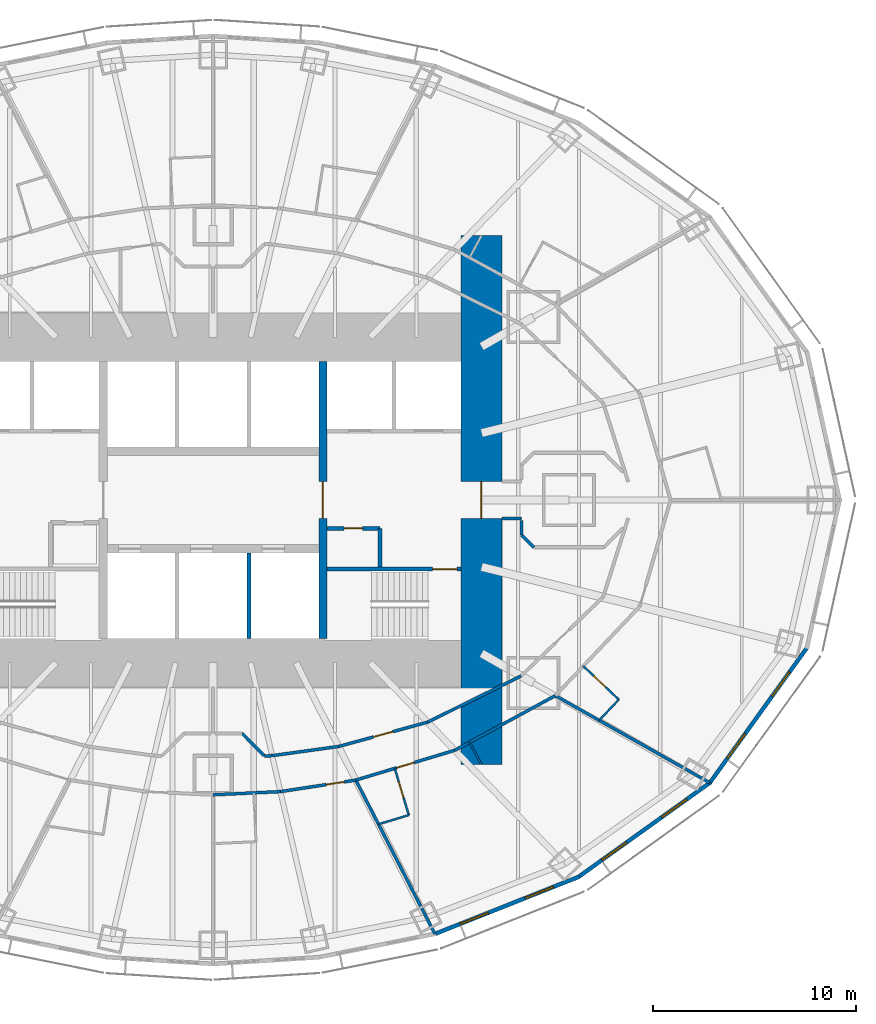
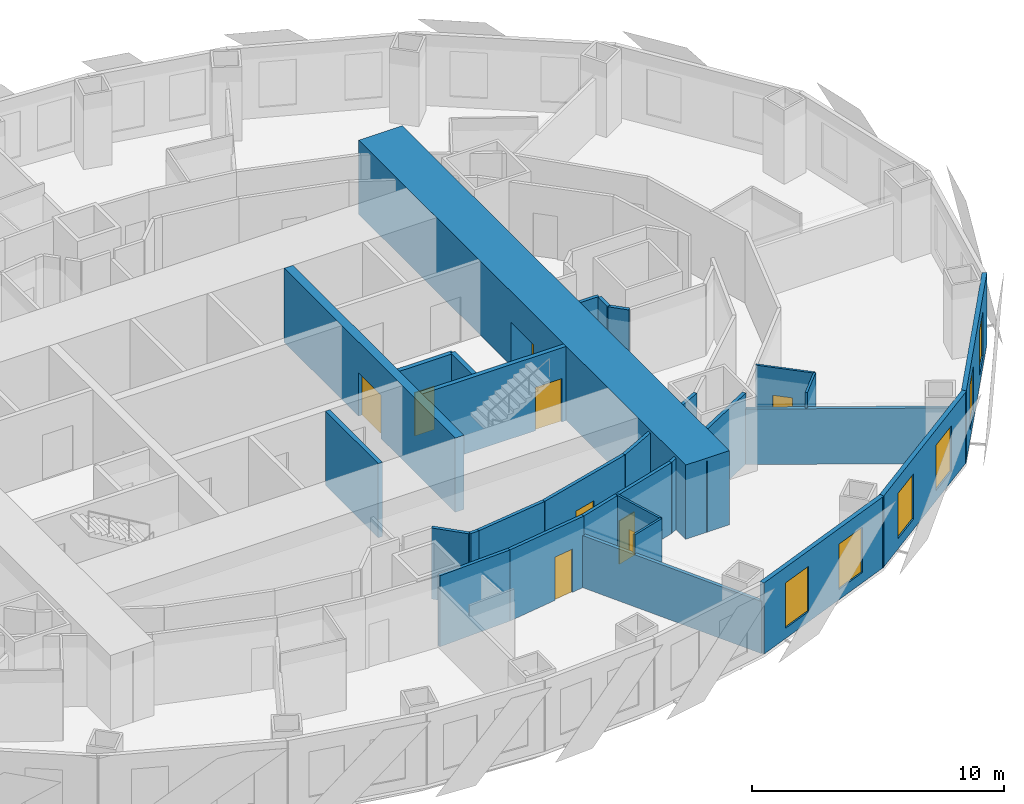
# One storey, part 7 of 15: 28 walls, 9 doors, 6 windows, 15 openings.
"""IFC4 building model written with IfcOpenShell, lengths in metres."""

from ifc_helpers import new_model, si_unit, direction, frame, frame_2d, origin, place, context, subcontext, project, spatial, rectangle, extrude, material, layer, layer_set, type_object, element, fill, save


model = new_model("IFC4")

# Units and contexts
model_context = context("Model", 3, precision=1e-05, world=origin(), true_north=direction((0.0, 1.0)))
body_context = subcontext(model_context, "Body", "Model", "MODEL_VIEW")
ifc_project = project(units=[si_unit("LENGTHUNIT", "METRE"), si_unit("AREAUNIT", "SQUARE_METRE"), si_unit("VOLUMEUNIT", "CUBIC_METRE"), si_unit("PLANEANGLEUNIT", "RADIAN"), si_unit("MASSUNIT", "GRAM", prefix="KILO")], contexts=[model_context])

# Site, building, storey
site_placement = place(None, origin())
site = spatial("IfcSite", under=ifc_project, at=site_placement, CompositionType="ELEMENT")
building_placement = place(site_placement, origin())
building = spatial("IfcBuilding", under=site, at=building_placement, Name="Lantaw Convention Tower", CompositionType="ELEMENT")
storey_placement = place(building_placement, frame((0.0, 0.0, 83.800048828125)))
storey = spatial("IfcBuildingStorey", under=building, at=storey_placement, Name="L19", CompositionType="ELEMENT", Elevation=83.800048828125)

# Wall, opening, door
ifc_material_1 = material(Name="Moisture resistant gypsum board on steel studs", Category="steel")
ifc_layer_1 = layer(ifc_material_1, 0.10009765625)
ifc_layer_set_1 = layer_set([ifc_layer_1], Name="Bathroom wall 100")
wall_type_1 = type_object("IfcWallType", Name="Bathroom wall 100", PredefinedType="PARTITIONING", material=ifc_layer_set_1)
wall_1_placement = place(storey_placement, frame((8.9345703125, -13.199951171875, 0.0), z_axis=(0.0, 0.0, 1.0), x_axis=(0.288197066254, -0.957571120598, 0.0)))
wall_1 = element("IfcWall", 1, at=wall_1_placement, inside=storey, type_object=wall_type_1, Name="Bathroom wall 100", PredefinedType="PARTITIONING", context=body_context, shape_type="SweptSolid", body=[
    extrude(rectangle(XDim=2.39990234375, YDim=0.10009765625, at=frame_2d((1.199951171875, 0.0))), origin(), (0.0, 0.0, 1.0), 3.449951171875),
])
opening_1_placement = place(wall_1_placement, frame((0.699951171875, 0.0, 0.0)))
opening_1 = element("IfcOpeningElement", 2, at=opening_1_placement, cuts=wall_1, Name="Opening L19.45", PredefinedType="OPENING", context=body_context, shape_type="SweptSolid", body=[
    extrude(rectangle(XDim=0.800048828125, YDim=2.10009765625, at=frame_2d((0.39990234375, 1.050048828125))), frame((0.0, 0.06005859375, 0.0), z_axis=(0.0, -1.0, 0.0), x_axis=(1.0, 0.0, 0.0)), (0.0, 0.0, 1.0), 0.1201171875),
])
ifc_material_2 = material(Name="Timber", Category="wood")
door_type_1 = type_object("IfcDoorType", Name="Bathroom door 800", OperationType="SINGLE_SWING_LEFT", PredefinedType="DOOR", material=ifc_material_2)
door_1_placement = place(opening_1_placement, origin())
door_1 = element("IfcDoor", 3, at=door_1_placement, inside=storey, type_object=door_type_1, Name="Bathroom door", OperationType="SINGLE_SWING_LEFT", OverallHeight=2.10009765625, OverallWidth=0.800048828125, PredefinedType="DOOR", context=body_context, shape_type="SweptSolid", body=[
    extrude(rectangle(XDim=0.800048828125, YDim=2.10009765625, at=frame_2d((0.39990234375, 1.050048828125))), frame((0.0, 0.02490234375, 0.0), z_axis=(0.0, -1.0, 0.0), x_axis=(1.0, 0.0, 0.0)), (0.0, 0.0, 1.0), 0.050048828125),
])
fill(opening_1, door_1)

# Wall
wall_2_placement = place(storey_placement, frame((9.626220703125, -15.498046875, 0.0), z_axis=(0.0, 0.0, 1.0), x_axis=(-0.957551231109, -0.288263143328, 0.0)))
element("IfcWall", 4, at=wall_2_placement, inside=storey, type_object=wall_type_1, Name="Bathroom wall 100", PredefinedType="PARTITIONING", context=body_context, shape_type="SweptSolid", body=[
    extrude(rectangle(XDim=1.56591796875, YDim=0.10009765625, at=frame_2d((0.782958984375, 0.0))), origin(), (0.0, 0.0, 1.0), 3.449951171875),
])

# Wall, opening, door
wall_3_placement = place(storey_placement, frame((18.209228515625, -8.166748046875, 0.0), z_axis=(0.0, 0.0, 1.0), x_axis=(0.726567238928, -0.687095369885, 0.0)))
wall_3 = element("IfcWall", 5, at=wall_3_placement, inside=storey, type_object=wall_type_1, Name="Bathroom wall 100", PredefinedType="PARTITIONING", context=body_context, shape_type="SweptSolid", body=[
    extrude(rectangle(XDim=2.39990234375, YDim=0.10009765625, at=frame_2d((1.199951171875, 0.0))), origin(), (0.0, 0.0, 1.0), 3.449951171875),
])
opening_2_placement = place(wall_3_placement, frame((0.699951171875, 0.0, 0.0)))
opening_2 = element("IfcOpeningElement", 6, at=opening_2_placement, cuts=wall_3, Name="Opening L19.47", PredefinedType="OPENING", context=body_context, shape_type="SweptSolid", body=[
    extrude(rectangle(XDim=0.800048828125, YDim=2.10009765625, at=frame_2d((0.39990234375, 1.050048828125))), frame((0.0, 0.06005859375, 0.0), z_axis=(0.0, -1.0, 0.0), x_axis=(1.0, 0.0, 0.0)), (0.0, 0.0, 1.0), 0.1201171875),
])
door_2_placement = place(opening_2_placement, origin())
door_2 = element("IfcDoor", 7, at=door_2_placement, inside=storey, type_object=door_type_1, Name="Bathroom door", OperationType="SINGLE_SWING_LEFT", OverallHeight=2.10009765625, OverallWidth=0.800048828125, PredefinedType="DOOR", context=body_context, shape_type="SweptSolid", body=[
    extrude(rectangle(XDim=0.800048828125, YDim=2.10009765625, at=frame_2d((0.39990234375, 1.050048828125))), frame((0.0, 0.02490234375, 0.0), z_axis=(0.0, -1.0, 0.0), x_axis=(1.0, 0.0, 0.0)), (0.0, 0.0, 1.0), 0.050048828125),
])
fill(opening_2, door_2)

# Wall
wall_4_placement = place(storey_placement, frame((19.952880859375, -9.815673828125, 0.0), z_axis=(0.0, 0.0, 1.0), x_axis=(-0.687017997787, -0.726640399866, 0.0)))
element("IfcWall", 8, at=wall_4_placement, inside=storey, type_object=wall_type_1, Name="Bathroom wall 100", PredefinedType="PARTITIONING", context=body_context, shape_type="SweptSolid", body=[
    extrude(rectangle(XDim=1.417236328125, YDim=0.10009765625, at=frame_2d((0.70849609375, 0.0))), origin(), (0.0, 0.0, 1.0), 3.449951171875),
])

# Wall, opening, door
ifc_material_3 = material(Name="Concrete C60/75", Category="concrete")
ifc_layer_2 = layer(ifc_material_3, 0.199951171875)
ifc_layer_set_2 = layer_set([ifc_layer_2], Name="Core wall 200")
wall_type_2 = type_object("IfcWallType", Name="Core wall 200", PredefinedType="SHEAR", material=ifc_layer_set_2)
wall_5_placement = place(storey_placement, frame((5.60009765625, -3.39990234375, 0.0), z_axis=(0.0, 0.0, 1.0), x_axis=(1.0, 0.0, 0.0)))
wall_5 = element("IfcWall", 9, at=wall_5_placement, inside=storey, type_object=wall_type_2, Name="Core wall ES", PredefinedType="SHEAR", context=body_context, shape_type="SweptSolid", body=[
    extrude(rectangle(XDim=6.599853515625, YDim=0.199951171875, at=frame_2d((3.2998046875, 0.0))), origin(), (0.0, 0.0, 1.0), 3.599853515625),
])
opening_3_placement = place(wall_5_placement, frame((5.199951171875, 0.0, 0.0)))
opening_3 = element("IfcOpeningElement", 10, at=opening_3_placement, cuts=wall_5, Name="Opening L19.05", PredefinedType="OPENING", context=body_context, shape_type="SweptSolid", body=[
    extrude(rectangle(XDim=1.199951171875, YDim=2.10009765625, at=frame_2d((0.60009765625, 1.050048828125))), frame((0.0, 0.10986328125, 0.0), z_axis=(0.0, -1.0, 0.0), x_axis=(1.0, 0.0, 0.0)), (0.0, 0.0, 1.0), 0.219970703125),
])
ifc_material_4 = material(Name="Steel, fire rated", Category="steel")
door_type_2 = type_object("IfcDoorType", Name="Stair door FD90", OperationType="SINGLE_SWING_RIGHT", PredefinedType="DOOR", material=ifc_material_4)
door_3_placement = place(opening_3_placement, origin())
door_3 = element("IfcDoor", 11, at=door_3_placement, inside=storey, type_object=door_type_2, Name="Exit stair door", OperationType="SINGLE_SWING_RIGHT", OverallHeight=2.10009765625, OverallWidth=1.199951171875, PredefinedType="DOOR", context=body_context, shape_type="SweptSolid", body=[
    extrude(rectangle(XDim=1.199951171875, YDim=2.10009765625, at=frame_2d((0.60009765625, 1.050048828125))), frame((0.0, 0.02490234375, 0.0), z_axis=(0.0, -1.0, 0.0), x_axis=(1.0, 0.0, 0.0)), (0.0, 0.0, 1.0), 0.050048828125),
])
fill(opening_3, door_3)

ifc_layer_3 = layer(ifc_material_3, 2.0)
ifc_layer_set_3 = layer_set([ifc_layer_3], Name="Core wall 2000")
wall_type_3 = type_object("IfcWallType", Name="Core wall 2000", PredefinedType="SHEAR", material=ifc_layer_set_3)
wall_6_placement = place(storey_placement, frame((13.199951171875, -13.0, 0.0), z_axis=(0.0, 0.0, 1.0), x_axis=(0.0, 1.0, 0.0)))
wall_6 = element("IfcWall", 12, at=wall_6_placement, inside=storey, type_object=wall_type_3, Name="Core wall E", PredefinedType="SHEAR", context=body_context, shape_type="SweptSolid", body=[
    extrude(rectangle(XDim=26.0, YDim=2.0, at=frame_2d((13.0, 0.0))), origin(), (0.0, 0.0, 1.0), 3.599853515625),
])
opening_4_placement = place(wall_6_placement, frame((12.10009765625, 0.0, 0.0)))
opening_4 = element("IfcOpeningElement", 13, at=opening_4_placement, cuts=wall_6, Name="Opening L19.07", PredefinedType="OPENING", context=body_context, shape_type="SweptSolid", body=[
    extrude(rectangle(XDim=1.800048828125, YDim=2.10009765625, at=frame_2d((0.89990234375, 1.050048828125))), frame((0.0, 1.010009765625, 0.0), z_axis=(0.0, -1.0, 0.0), x_axis=(1.0, 0.0, 0.0)), (0.0, 0.0, 1.0), 2.02001953125),
])
door_type_3 = type_object("IfcDoorType", Name="Lobby double door FD90", OperationType="DOUBLE_DOOR_DOUBLE_SWING", PredefinedType="DOOR", material=ifc_material_4)
door_4_placement = place(opening_4_placement, origin())
door_4 = element("IfcDoor", 14, at=door_4_placement, inside=storey, type_object=door_type_3, Name="Firefighting lobby door", OperationType="DOUBLE_DOOR_DOUBLE_SWING", OverallHeight=2.10009765625, OverallWidth=1.800048828125, PredefinedType="DOOR", context=body_context, shape_type="SweptSolid", body=[
    extrude(rectangle(XDim=1.800048828125, YDim=2.10009765625, at=frame_2d((0.89990234375, 1.050048828125))), frame((0.0, 0.02490234375, 0.0), z_axis=(0.0, -1.0, 0.0), x_axis=(1.0, 0.0, 0.0)), (0.0, 0.0, 1.0), 0.050048828125),
])
fill(opening_4, door_4)

ifc_layer_4 = layer(ifc_material_3, 0.39990234375)
ifc_layer_set_4 = layer_set([ifc_layer_4], Name="Core wall 400")
wall_type_4 = type_object("IfcWallType", Name="Core wall 400", PredefinedType="SHEAR", material=ifc_layer_set_4)
wall_7_placement = place(storey_placement, frame((5.39990234375, -6.800048828125, 0.0), z_axis=(0.0, 0.0, 1.0), x_axis=(0.0, 1.0, 0.0)))
wall_7 = element("IfcWall", 15, at=wall_7_placement, inside=storey, type_object=wall_type_4, Name="Core wall XE", PredefinedType="SHEAR", context=body_context, shape_type="SweptSolid", body=[
    extrude(rectangle(XDim=13.60009765625, YDim=0.39990234375, at=frame_2d((6.800048828125, 0.0))), origin(), (0.0, 0.0, 1.0), 3.599853515625),
])
opening_5_placement = place(wall_7_placement, frame((5.89990234375, 0.0, 0.0)))
opening_5 = element("IfcOpeningElement", 16, at=opening_5_placement, cuts=wall_7, Name="Opening L19.03", PredefinedType="OPENING", context=body_context, shape_type="SweptSolid", body=[
    extrude(rectangle(XDim=1.800048828125, YDim=2.10009765625, at=frame_2d((0.89990234375, 1.050048828125))), frame((0.0, 0.2099609375, 0.0), z_axis=(0.0, -1.0, 0.0), x_axis=(1.0, 0.0, 0.0)), (0.0, 0.0, 1.0), 0.419921875),
])
door_5_placement = place(opening_5_placement, origin())
door_5 = element("IfcDoor", 17, at=door_5_placement, inside=storey, type_object=door_type_3, Name="Lift lobby door", OperationType="DOUBLE_DOOR_DOUBLE_SWING", OverallHeight=2.10009765625, OverallWidth=1.800048828125, PredefinedType="DOOR", context=body_context, shape_type="SweptSolid", body=[
    extrude(rectangle(XDim=1.800048828125, YDim=2.10009765625, at=frame_2d((0.89990234375, 1.050048828125))), frame((0.0, 0.02490234375, 0.0), z_axis=(0.0, -1.0, 0.0), x_axis=(1.0, 0.0, 0.0)), (0.0, 0.0, 1.0), 0.050048828125),
])
fill(opening_5, door_5)

# Wall
ifc_material_5 = material(Name="Gypsum board on steel studs, fire rated", Category="steel")
ifc_layer_5 = layer(ifc_material_5, 0.14990234375)
ifc_layer_set_5 = layer_set([ifc_layer_5], Name="Corridor wall 150 EI 60")
wall_type_5 = type_object("IfcWallType", Name="Corridor wall 150 EI 60", PredefinedType="PARTITIONING", material=ifc_layer_set_5)
wall_8_placement = place(storey_placement, frame((0.0, -14.5, 0.0), z_axis=(0.0, 0.0, 1.0), x_axis=(0.998863968075, 0.047652631422, 0.0)))
element("IfcWall", 18, at=wall_8_placement, inside=storey, type_object=wall_type_5, Name="Corridor wall 150", PredefinedType="PARTITIONING", context=body_context, shape_type="SweptSolid", body=[
    extrude(rectangle(XDim=3.314697265625, YDim=0.14990234375, at=frame_2d((1.6572265625, 0.0))), origin(), (0.0, 0.0, 1.0), 3.449951171875),
])

# Wall, opening, door
wall_9_placement = place(storey_placement, frame((3.31103515625, -14.342041015625, 0.0), z_axis=(0.0, 0.0, 1.0), x_axis=(0.988564270062, 0.150800145746, 0.0)))
wall_9 = element("IfcWall", 19, at=wall_9_placement, inside=storey, type_object=wall_type_5, Name="Corridor wall 150", PredefinedType="PARTITIONING", context=body_context, shape_type="SweptSolid", body=[
    extrude(rectangle(XDim=3.751220703125, YDim=0.14990234375, at=frame_2d((1.87548828125, 0.0))), origin(), (0.0, 0.0, 1.0), 3.449951171875),
])
opening_6_placement = place(wall_9_placement, frame((2.27587890625, 0.0, 0.0)))
opening_6 = element("IfcOpeningElement", 20, at=opening_6_placement, cuts=wall_9, Name="Opening L19.44", PredefinedType="OPENING", context=body_context, shape_type="SweptSolid", body=[
    extrude(rectangle(XDim=0.89990234375, YDim=2.10009765625, at=frame_2d((0.449951171875, 1.050048828125))), frame((0.0, 0.0849609375, 0.0), z_axis=(0.0, -1.0, 0.0), x_axis=(1.0, 0.0, 0.0)), (0.0, 0.0, 1.0), 0.169921875),
])
door_type_4 = type_object("IfcDoorType", Name="Guest room entrance door FD30S", OperationType="SINGLE_SWING_LEFT", PredefinedType="DOOR", material=ifc_material_4)
door_6_placement = place(opening_6_placement, origin())
door_6 = element("IfcDoor", 21, at=door_6_placement, inside=storey, type_object=door_type_4, Name="Junior suite entrance door", OperationType="SINGLE_SWING_LEFT", OverallHeight=2.10009765625, OverallWidth=0.89990234375, PredefinedType="DOOR", context=body_context, shape_type="SweptSolid", body=[
    extrude(rectangle(XDim=0.89990234375, YDim=2.10009765625, at=frame_2d((0.449951171875, 1.050048828125))), frame((0.0, 0.02490234375, 0.0), z_axis=(0.0, -1.0, 0.0), x_axis=(1.0, 0.0, 0.0)), (0.0, 0.0, 1.0), 0.050048828125),
])
fill(opening_6, door_6)

wall_10_placement = place(storey_placement, frame((7.019287109375, -13.7763671875, 0.0), z_axis=(0.0, 0.0, 1.0), x_axis=(0.957564241242, 0.288219922793, 0.0)))
wall_10 = element("IfcWall", 22, at=wall_10_placement, inside=storey, type_object=wall_type_5, Name="Corridor wall 150", PredefinedType="PARTITIONING", context=body_context, shape_type="SweptSolid", body=[
    extrude(rectangle(XDim=5.0849609375, YDim=0.14990234375, at=frame_2d((2.54248046875, 0.0))), origin(), (0.0, 0.0, 1.0), 3.449951171875),
])
opening_7_placement = place(wall_10_placement, frame((2.10009765625, 0.0, 0.0)))
opening_7 = element("IfcOpeningElement", 23, at=opening_7_placement, cuts=wall_10, Name="Opening L19.46", PredefinedType="OPENING", context=body_context, shape_type="SweptSolid", body=[
    extrude(rectangle(XDim=0.89990234375, YDim=2.10009765625, at=frame_2d((0.449951171875, 1.050048828125))), frame((0.0, 0.0849609375, 0.0), z_axis=(0.0, -1.0, 0.0), x_axis=(1.0, 0.0, 0.0)), (0.0, 0.0, 1.0), 0.169921875),
])
door_7_placement = place(opening_7_placement, origin())
door_7 = element("IfcDoor", 24, at=door_7_placement, inside=storey, type_object=door_type_4, Name="Junior suite entrance door", OperationType="SINGLE_SWING_LEFT", OverallHeight=2.10009765625, OverallWidth=0.89990234375, PredefinedType="DOOR", context=body_context, shape_type="SweptSolid", body=[
    extrude(rectangle(XDim=0.89990234375, YDim=2.10009765625, at=frame_2d((0.449951171875, 1.050048828125))), frame((0.0, 0.02490234375, 0.0), z_axis=(0.0, -1.0, 0.0), x_axis=(1.0, 0.0, 0.0)), (0.0, 0.0, 1.0), 0.050048828125),
])
fill(opening_7, door_7)

# Walls
wall_11_placement = place(storey_placement, frame((11.888427734375, -12.310791015625, 0.0), z_axis=(0.0, 0.0, 1.0), x_axis=(0.878450059298, 0.477834169267, 0.0)))
element("IfcWall", 25, at=wall_11_placement, inside=storey, type_object=wall_type_5, Name="Corridor wall 150", PredefinedType="PARTITIONING", context=body_context, shape_type="SweptSolid", body=[
    extrude(rectangle(XDim=5.630859375, YDim=0.14990234375, at=frame_2d((2.8154296875, 0.0))), origin(), (0.0, 0.0, 1.0), 3.449951171875),
])
wall_12_placement = place(storey_placement, frame((2.903076171875, -12.574462890625, 0.0), z_axis=(0.0, 0.0, 1.0), x_axis=(0.990563451353, 0.137054911782, 0.0)))
element("IfcWall", 26, at=wall_12_placement, inside=storey, type_object=wall_type_5, Name="Corridor wall 150", PredefinedType="PARTITIONING", context=body_context, shape_type="SweptSolid", body=[
    extrude(rectangle(XDim=3.304443359375, YDim=0.14990234375, at=frame_2d((1.65234375, 0.0))), origin(), (0.0, 0.0, 1.0), 3.449951171875),
])

# Wall, opening, door
wall_13_placement = place(storey_placement, frame((6.17626953125, -12.12158203125, 0.0), z_axis=(0.0, 0.0, 1.0), x_axis=(0.964644466646, 0.263554648923, 0.0)))
wall_13 = element("IfcWall", 27, at=wall_13_placement, inside=storey, type_object=wall_type_5, Name="Corridor wall 150", PredefinedType="PARTITIONING", context=body_context, shape_type="SweptSolid", body=[
    extrude(rectangle(XDim=4.535400390625, YDim=0.14990234375, at=frame_2d((2.267578125, 0.0))), origin(), (0.0, 0.0, 1.0), 3.449951171875),
])
opening_8_placement = place(wall_13_placement, frame((1.767578125, 0.0, 0.0)))
opening_8 = element("IfcOpeningElement", 28, at=opening_8_placement, cuts=wall_13, Name="Opening L19.23", PredefinedType="OPENING", context=body_context, shape_type="SweptSolid", body=[
    extrude(rectangle(XDim=1.0, YDim=2.10009765625, at=frame_2d((0.5, 1.050048828125))), frame((0.0, 0.0849609375, 0.0), z_axis=(0.0, -1.0, 0.0), x_axis=(1.0, 0.0, 0.0)), (0.0, 0.0, 1.0), 0.169921875),
])
door_type_5 = type_object("IfcDoorType", Name="Service door 1000 FD30", OperationType="SINGLE_SWING_LEFT", PredefinedType="DOOR", material=ifc_material_4)
door_8_placement = place(opening_8_placement, origin())
door_8 = element("IfcDoor", 29, at=door_8_placement, inside=storey, type_object=door_type_5, Name="Room service pantry door", OperationType="SINGLE_SWING_LEFT", OverallHeight=2.10009765625, OverallWidth=1.0, PredefinedType="DOOR", context=body_context, shape_type="SweptSolid", body=[
    extrude(rectangle(XDim=1.0, YDim=2.10009765625, at=frame_2d((0.5, 1.050048828125))), frame((0.0, 0.02490234375, 0.0), z_axis=(0.0, -1.0, 0.0), x_axis=(1.0, 0.0, 0.0)), (0.0, 0.0, 1.0), 0.050048828125),
])
fill(opening_8, door_8)

# Walls
wall_14_placement = place(storey_placement, frame((10.55126953125, -10.92626953125, 0.0), z_axis=(0.0, 0.0, 1.0), x_axis=(0.89656943448, 0.442903205177, 0.0)))
element("IfcWall", 30, at=wall_14_placement, inside=storey, type_object=wall_type_5, Name="Corridor wall 150", PredefinedType="PARTITIONING", context=body_context, shape_type="SweptSolid", body=[
    extrude(rectangle(XDim=5.12646484375, YDim=0.14990234375, at=frame_2d((2.563232421875, 0.0))), origin(), (0.0, 0.0, 1.0), 3.449951171875),
])
wall_15_placement = place(storey_placement, frame((2.537109375, -12.59033203125, 0.0), z_axis=(0.0, 0.0, 1.0), x_axis=(0.999061181733, 0.04332153223, 0.0)))
element("IfcWall", 31, at=wall_15_placement, inside=storey, type_object=wall_type_5, Name="Corridor wall 150", PredefinedType="PARTITIONING", context=body_context, shape_type="SweptSolid", body=[
    extrude(rectangle(XDim=0.3662109375, YDim=0.14990234375, at=frame_2d((0.18310546875, 0.0))), origin(), (0.0, 0.0, 1.0), 3.449951171875),
])
wall_16_placement = place(storey_placement, frame((1.424560546875, -11.47509765625, 0.0), z_axis=(0.0, 0.0, 1.0), x_axis=(0.701622806479, -0.712548550927, 0.0)))
element("IfcWall", 32, at=wall_16_placement, inside=storey, type_object=wall_type_5, Name="Corridor wall 150", PredefinedType="PARTITIONING", context=body_context, shape_type="SweptSolid", body=[
    extrude(rectangle(XDim=1.541748046875, YDim=0.14990234375, at=frame_2d((0.77099609375, 0.0))), origin(), (0.0, 0.0, 1.0), 3.449951171875),
])
wall_17_placement = place(storey_placement, frame((14.199951171875, -0.89990234375, 0.0), z_axis=(0.0, 0.0, 1.0), x_axis=(1.0, 0.0, 0.0)))
element("IfcWall", 33, at=wall_17_placement, inside=storey, type_object=wall_type_5, Name="Corridor wall 150", PredefinedType="PARTITIONING", context=body_context, shape_type="SweptSolid", body=[
    extrude(rectangle(XDim=0.965087890625, YDim=0.14990234375, at=frame_2d((0.482421875, 0.0))), origin(), (0.0, 0.0, 1.0), 3.449951171875),
])
wall_18_placement = place(storey_placement, frame((15.775390625, -2.324951171875, 0.0), z_axis=(0.0, 0.0, 1.0), x_axis=(-0.707106781187, 0.707106781187, 0.0)))
element("IfcWall", 34, at=wall_18_placement, inside=storey, type_object=wall_type_5, Name="Corridor wall 150", PredefinedType="PARTITIONING", context=body_context, shape_type="SweptSolid", body=[
    extrude(rectangle(XDim=0.84912109375, YDim=0.14990234375, at=frame_2d((0.424560546875, 0.0))), origin(), (0.0, 0.0, 1.0), 3.449951171875),
])
wall_19_placement = place(storey_placement, frame((15.175048828125, -1.724609375, 0.0), z_axis=(0.0, 0.0, 1.0), x_axis=(0.0, 1.0, 0.0)))
element("IfcWall", 35, at=wall_19_placement, inside=storey, type_object=wall_type_5, Name="Corridor wall 150", PredefinedType="PARTITIONING", context=body_context, shape_type="SweptSolid", body=[
    extrude(rectangle(XDim=0.721435546875, YDim=0.14990234375, at=frame_2d((0.36083984375, 0.0))), origin(), (0.0, 0.0, 1.0), 3.449951171875),
])

# Wall, openings, windows
ifc_material_6 = material(Name="Insulated aluminium panel on steel frame", Category="steel")
ifc_layer_6 = layer(ifc_material_6, 0.199951171875)
ifc_layer_set_6 = layer_set([ifc_layer_6], Name="External wall 200")
wall_type_6 = type_object("IfcWallType", Name="External wall 200", PredefinedType="SOLIDWALL", material=ifc_layer_set_6)
wall_20_placement = place(storey_placement, frame((10.869384765625, -21.362548828125, 0.0), z_axis=(0.0, 0.0, 1.0), x_axis=(0.929358351251, 0.369178892895, 0.0)))
wall_20 = element("IfcWall", 36, at=wall_20_placement, inside=storey, type_object=wall_type_6, Name="Facade panel wall", PredefinedType="SOLIDWALL", context=body_context, shape_type="SweptSolid", body=[
    extrude(rectangle(XDim=7.6923828125, YDim=0.199951171875, at=frame_2d((3.84619140625, 0.0))), origin(), (0.0, 0.0, 1.0), 3.449951171875),
])
opening_9_placement = place(wall_20_placement, frame((1.373046875, 0.0, 0.5)))
opening_9 = element("IfcOpeningElement", 37, at=opening_9_placement, cuts=wall_20, Name="Opening W2", PredefinedType="OPENING", context=body_context, shape_type="SweptSolid", body=[
    extrude(rectangle(XDim=1.5, YDim=2.199951171875, at=frame_2d((0.75, 1.10009765625))), frame((0.0, 0.10986328125, 0.0), z_axis=(0.0, -1.0, 0.0), x_axis=(1.0, 0.0, 0.0)), (0.0, 0.0, 1.0), 0.219970703125),
])
opening_10_placement = place(wall_20_placement, frame((4.819091796875, 0.0, 0.5)))
opening_10 = element("IfcOpeningElement", 38, at=opening_10_placement, cuts=wall_20, Name="Opening W2", PredefinedType="OPENING", context=body_context, shape_type="SweptSolid", body=[
    extrude(rectangle(XDim=1.5, YDim=2.199951171875, at=frame_2d((0.75, 1.10009765625))), frame((0.0, 0.10986328125, 0.0), z_axis=(0.0, -1.0, 0.0), x_axis=(1.0, 0.0, 0.0)), (0.0, 0.0, 1.0), 0.219970703125),
])
ifc_material_7 = material(Name="Aluminium frame, clear insulating glass", Category="aluminium")
window_type = type_object("IfcWindowType", Name="Suite window 1500x2200", PartitioningType="SINGLE_PANEL", PredefinedType="WINDOW", material=ifc_material_7)
window_1_placement = place(opening_9_placement, origin())
window_1 = element("IfcWindow", 39, at=window_1_placement, inside=storey, type_object=window_type, Name="Guest room window", OverallHeight=2.199951171875, OverallWidth=1.5, PartitioningType="SINGLE_PANEL", PredefinedType="WINDOW", context=body_context, shape_type="SweptSolid", body=[
    extrude(rectangle(XDim=1.5, YDim=2.199951171875, at=frame_2d((0.75, 1.10009765625))), frame((0.0, 0.030029296875, 0.0), z_axis=(0.0, -1.0, 0.0), x_axis=(1.0, 0.0, 0.0)), (0.0, 0.0, 1.0), 0.06005859375),
])
fill(opening_9, window_1)
window_2_placement = place(opening_10_placement, origin())
window_2 = element("IfcWindow", 40, at=window_2_placement, inside=storey, type_object=window_type, Name="Guest room window", OverallHeight=2.199951171875, OverallWidth=1.5, PartitioningType="SINGLE_PANEL", PredefinedType="WINDOW", context=body_context, shape_type="SweptSolid", body=[
    extrude(rectangle(XDim=1.5, YDim=2.199951171875, at=frame_2d((0.75, 1.10009765625))), frame((0.0, 0.030029296875, 0.0), z_axis=(0.0, -1.0, 0.0), x_axis=(1.0, 0.0, 0.0)), (0.0, 0.0, 1.0), 0.06005859375),
])
fill(opening_10, window_2)

wall_21_placement = place(storey_placement, frame((17.9287109375, -18.57177734375, 0.0), z_axis=(0.0, 0.0, 1.0), x_axis=(0.812791321576, 0.582554948112, 0.0)))
wall_21 = element("IfcWall", 41, at=wall_21_placement, inside=storey, type_object=wall_type_6, Name="Facade panel wall", PredefinedType="SOLIDWALL", context=body_context, shape_type="SweptSolid", body=[
    extrude(rectangle(XDim=8.063232421875, YDim=0.199951171875, at=frame_2d((4.03173828125, 0.0))), origin(), (0.0, 0.0, 1.0), 3.449951171875),
])
opening_11_placement = place(wall_21_placement, frame((1.4658203125, 0.0, 0.5)))
opening_11 = element("IfcOpeningElement", 42, at=opening_11_placement, cuts=wall_21, Name="Opening W2", PredefinedType="OPENING", context=body_context, shape_type="SweptSolid", body=[
    extrude(rectangle(XDim=1.5, YDim=2.199951171875, at=frame_2d((0.75, 1.10009765625))), frame((0.0, 0.10986328125, 0.0), z_axis=(0.0, -1.0, 0.0), x_axis=(1.0, 0.0, 0.0)), (0.0, 0.0, 1.0), 0.219970703125),
])
opening_12_placement = place(wall_21_placement, frame((5.097412109375, 0.0, 0.5)))
opening_12 = element("IfcOpeningElement", 43, at=opening_12_placement, cuts=wall_21, Name="Opening W2", PredefinedType="OPENING", context=body_context, shape_type="SweptSolid", body=[
    extrude(rectangle(XDim=1.5, YDim=2.199951171875, at=frame_2d((0.75, 1.10009765625))), frame((0.0, 0.10986328125, 0.0), z_axis=(0.0, -1.0, 0.0), x_axis=(1.0, 0.0, 0.0)), (0.0, 0.0, 1.0), 0.219970703125),
])
window_3_placement = place(opening_11_placement, origin())
window_3 = element("IfcWindow", 44, at=window_3_placement, inside=storey, type_object=window_type, Name="Guest room window", OverallHeight=2.199951171875, OverallWidth=1.5, PartitioningType="SINGLE_PANEL", PredefinedType="WINDOW", context=body_context, shape_type="SweptSolid", body=[
    extrude(rectangle(XDim=1.5, YDim=2.199951171875, at=frame_2d((0.75, 1.10009765625))), frame((0.0, 0.030029296875, 0.0), z_axis=(0.0, -1.0, 0.0), x_axis=(1.0, 0.0, 0.0)), (0.0, 0.0, 1.0), 0.06005859375),
])
fill(opening_11, window_3)
window_4_placement = place(opening_12_placement, origin())
window_4 = element("IfcWindow", 45, at=window_4_placement, inside=storey, type_object=window_type, Name="Guest room window", OverallHeight=2.199951171875, OverallWidth=1.5, PartitioningType="SINGLE_PANEL", PredefinedType="WINDOW", context=body_context, shape_type="SweptSolid", body=[
    extrude(rectangle(XDim=1.5, YDim=2.199951171875, at=frame_2d((0.75, 1.10009765625))), frame((0.0, 0.030029296875, 0.0), z_axis=(0.0, -1.0, 0.0), x_axis=(1.0, 0.0, 0.0)), (0.0, 0.0, 1.0), 0.06005859375),
])
fill(opening_12, window_4)

wall_22_placement = place(storey_placement, frame((24.400390625, -13.95654296875, 0.0), z_axis=(0.0, 0.0, 1.0), x_axis=(0.583937613703, 0.811798536155, 0.0)))
wall_22 = element("IfcWall", 46, at=wall_22_placement, inside=storey, type_object=wall_type_6, Name="Facade panel wall", PredefinedType="SOLIDWALL", context=body_context, shape_type="SweptSolid", body=[
    extrude(rectangle(XDim=8.322998046875, YDim=0.199951171875, at=frame_2d((4.16162109375, 0.0))), origin(), (0.0, 0.0, 1.0), 3.449951171875),
])
opening_13_placement = place(wall_22_placement, frame((1.53076171875, 0.0, 0.5)))
opening_13 = element("IfcOpeningElement", 47, at=opening_13_placement, cuts=wall_22, Name="Opening W2", PredefinedType="OPENING", context=body_context, shape_type="SweptSolid", body=[
    extrude(rectangle(XDim=1.5, YDim=2.199951171875, at=frame_2d((0.75, 1.10009765625))), frame((0.0, 0.10986328125, 0.0), z_axis=(0.0, -1.0, 0.0), x_axis=(1.0, 0.0, 0.0)), (0.0, 0.0, 1.0), 0.219970703125),
])
opening_14_placement = place(wall_22_placement, frame((5.292236328125, 0.0, 0.5)))
opening_14 = element("IfcOpeningElement", 48, at=opening_14_placement, cuts=wall_22, Name="Opening W2", PredefinedType="OPENING", context=body_context, shape_type="SweptSolid", body=[
    extrude(rectangle(XDim=1.5, YDim=2.199951171875, at=frame_2d((0.75, 1.10009765625))), frame((0.0, 0.10986328125, 0.0), z_axis=(0.0, -1.0, 0.0), x_axis=(1.0, 0.0, 0.0)), (0.0, 0.0, 1.0), 0.219970703125),
])
window_5_placement = place(opening_13_placement, origin())
window_5 = element("IfcWindow", 49, at=window_5_placement, inside=storey, type_object=window_type, Name="Guest room window", OverallHeight=2.199951171875, OverallWidth=1.5, PartitioningType="SINGLE_PANEL", PredefinedType="WINDOW", context=body_context, shape_type="SweptSolid", body=[
    extrude(rectangle(XDim=1.5, YDim=2.199951171875, at=frame_2d((0.75, 1.10009765625))), frame((0.0, 0.030029296875, 0.0), z_axis=(0.0, -1.0, 0.0), x_axis=(1.0, 0.0, 0.0)), (0.0, 0.0, 1.0), 0.06005859375),
])
fill(opening_13, window_5)
window_6_placement = place(opening_14_placement, origin())
window_6 = element("IfcWindow", 50, at=window_6_placement, inside=storey, type_object=window_type, Name="Guest room window", OverallHeight=2.199951171875, OverallWidth=1.5, PartitioningType="SINGLE_PANEL", PredefinedType="WINDOW", context=body_context, shape_type="SweptSolid", body=[
    extrude(rectangle(XDim=1.5, YDim=2.199951171875, at=frame_2d((0.75, 1.10009765625))), frame((0.0, 0.030029296875, 0.0), z_axis=(0.0, -1.0, 0.0), x_axis=(1.0, 0.0, 0.0)), (0.0, 0.0, 1.0), 0.06005859375),
])
fill(opening_14, window_6)

# Walls
ifc_material_8 = material(Name="Gypsum board on steel studs, acoustic", Category="steel")
ifc_layer_7 = layer(ifc_material_8, 0.14990234375)
ifc_layer_set_7 = layer_set([ifc_layer_7], Name="Guest room party wall 150")
wall_type_7 = type_object("IfcWallType", Name="Guest room party wall 150", PredefinedType="PARTITIONING", material=ifc_layer_set_7)
wall_23_placement = place(storey_placement, frame((10.911865234375, -21.345703125, 0.0), z_axis=(0.0, 0.0, 1.0), x_axis=(-0.457327273085, 0.889298468059, 0.0)))
element("IfcWall", 51, at=wall_23_placement, inside=storey, type_object=wall_type_7, Name="Guest room party wall 150", PredefinedType="PARTITIONING", context=body_context, shape_type="SweptSolid", body=[
    extrude(rectangle(XDim=8.511474609375, YDim=0.14990234375, at=frame_2d((4.255859375, 0.0))), origin(), (0.0, 0.0, 1.0), 2.52783203125),
])
wall_24_placement = place(storey_placement, frame((24.434814453125, -13.90869140625, 0.0), z_axis=(0.0, 0.0, 1.0), x_axis=(-0.87090601027, 0.491449612143, 0.0)))
element("IfcWall", 52, at=wall_24_placement, inside=storey, type_object=wall_type_7, Name="Guest room party wall 150", PredefinedType="PARTITIONING", context=body_context, shape_type="SweptSolid", body=[
    extrude(rectangle(XDim=8.726318359375, YDim=0.14990234375, at=frame_2d((4.36328125, 0.0))), origin(), (0.0, 0.0, 1.0), 2.693115234375),
])
ifc_layer_8 = layer(ifc_material_8, 0.10009765625)
ifc_layer_set_8 = layer_set([ifc_layer_8], Name="Office partition 100")
wall_type_8 = type_object("IfcWallType", Name="Office partition 100", PredefinedType="PARTITIONING", material=ifc_layer_set_8)
wall_25_placement = place(storey_placement, frame((13.199951171875, -13.0, 0.0), z_axis=(0.0, 0.0, 1.0), x_axis=(-0.477852414256, 0.878440134665, 0.0)))
element("IfcWall", 53, at=wall_25_placement, inside=storey, type_object=wall_type_8, Name="Office partition 100", PredefinedType="PARTITIONING", context=body_context, shape_type="SweptSolid", body=[
    extrude(rectangle(XDim=1.232421875, YDim=0.10009765625, at=frame_2d((0.6162109375, 0.0))), origin(), (0.0, 0.0, 1.0), 3.449951171875),
])

# Wall, opening, door
ifc_material_9 = material(Name="Concrete blockwork, fire rated", Category="masonry")
ifc_layer_9 = layer(ifc_material_9, 0.199951171875)
ifc_layer_set_9 = layer_set([ifc_layer_9], Name="Plant room wall 200 EI 120")
wall_type_9 = type_object("IfcWallType", Name="Plant room wall 200 EI 120", PredefinedType="SOLIDWALL", material=ifc_layer_set_9)
wall_26_placement = place(storey_placement, frame((5.60009765625, -1.39990234375, 0.0), z_axis=(0.0, 0.0, 1.0), x_axis=(1.0, 0.0, 0.0)))
wall_26 = element("IfcWall", 54, at=wall_26_placement, inside=storey, type_object=wall_type_9, Name="Plant room wall 200", PredefinedType="SOLIDWALL", context=body_context, shape_type="SweptSolid", body=[
    extrude(rectangle(XDim=2.599853515625, YDim=0.199951171875, at=frame_2d((1.2998046875, 0.0))), origin(), (0.0, 0.0, 1.0), 3.449951171875),
])
opening_15_placement = place(wall_26_placement, frame((0.85009765625, 0.0, 0.0)))
opening_15 = element("IfcOpeningElement", 55, at=opening_15_placement, cuts=wall_26, Name="Opening L19.02", PredefinedType="OPENING", context=body_context, shape_type="SweptSolid", body=[
    extrude(rectangle(XDim=0.89990234375, YDim=2.10009765625, at=frame_2d((0.449951171875, 1.050048828125))), frame((0.0, 0.10986328125, 0.0), z_axis=(0.0, -1.0, 0.0), x_axis=(1.0, 0.0, 0.0)), (0.0, 0.0, 1.0), 0.219970703125),
])
door_type_6 = type_object("IfcDoorType", Name="Service door 900 FD60", OperationType="SINGLE_SWING_LEFT", PredefinedType="DOOR", material=ifc_material_4)
door_9_placement = place(opening_15_placement, origin())
door_9 = element("IfcDoor", 56, at=door_9_placement, inside=storey, type_object=door_type_6, Name="Cleaner's store door", OperationType="SINGLE_SWING_LEFT", OverallHeight=2.10009765625, OverallWidth=0.89990234375, PredefinedType="DOOR", context=body_context, shape_type="SweptSolid", body=[
    extrude(rectangle(XDim=0.89990234375, YDim=2.10009765625, at=frame_2d((0.449951171875, 1.050048828125))), frame((0.0, 0.02490234375, 0.0), z_axis=(0.0, -1.0, 0.0), x_axis=(1.0, 0.0, 0.0)), (0.0, 0.0, 1.0), 0.050048828125),
])
fill(opening_15, door_9)

# Walls
wall_27_placement = place(storey_placement, frame((8.199951171875, -1.39990234375, 0.0), z_axis=(0.0, 0.0, 1.0), x_axis=(0.0, -1.0, 0.0)))
element("IfcWall", 57, at=wall_27_placement, inside=storey, type_object=wall_type_9, Name="Plant room wall 200", PredefinedType="SOLIDWALL", context=body_context, shape_type="SweptSolid", body=[
    extrude(rectangle(XDim=1.900146484375, YDim=0.199951171875, at=frame_2d((0.9501953125, 0.0))), origin(), (0.0, 0.0, 1.0), 3.449951171875),
])
ifc_layer_10 = layer(ifc_material_9, 0.199951171875)
ifc_layer_set_10 = layer_set([ifc_layer_10], Name="Shaft wall 200 load-bearing")
wall_type_10 = type_object("IfcWallType", Name="Shaft wall 200 load-bearing", PredefinedType="SOLIDWALL", material=ifc_layer_set_10)
wall_28_placement = place(storey_placement, frame((1.7666015625, -2.60009765625, 0.0), z_axis=(0.0, 0.0, 1.0), x_axis=(0.0, -1.0, 0.0)))
element("IfcWall", 58, at=wall_28_placement, inside=storey, type_object=wall_type_10, Name="Shaft wall DS2", PredefinedType="SOLIDWALL", context=body_context, shape_type="SweptSolid", body=[
    extrude(rectangle(XDim=4.199951171875, YDim=0.199951171875, at=frame_2d((2.10009765625, 0.0))), origin(), (0.0, 0.0, 1.0), 3.599853515625),
])

save(model, "model.ifc")
